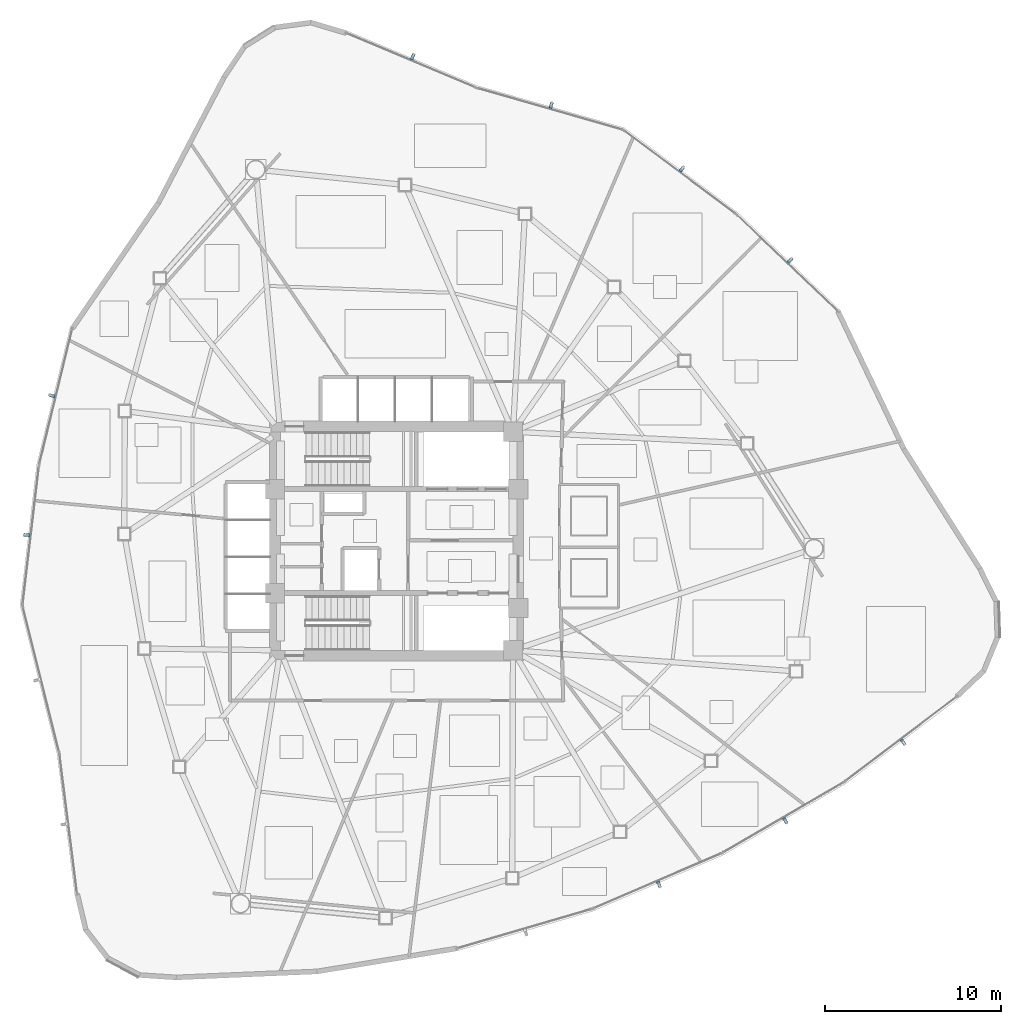
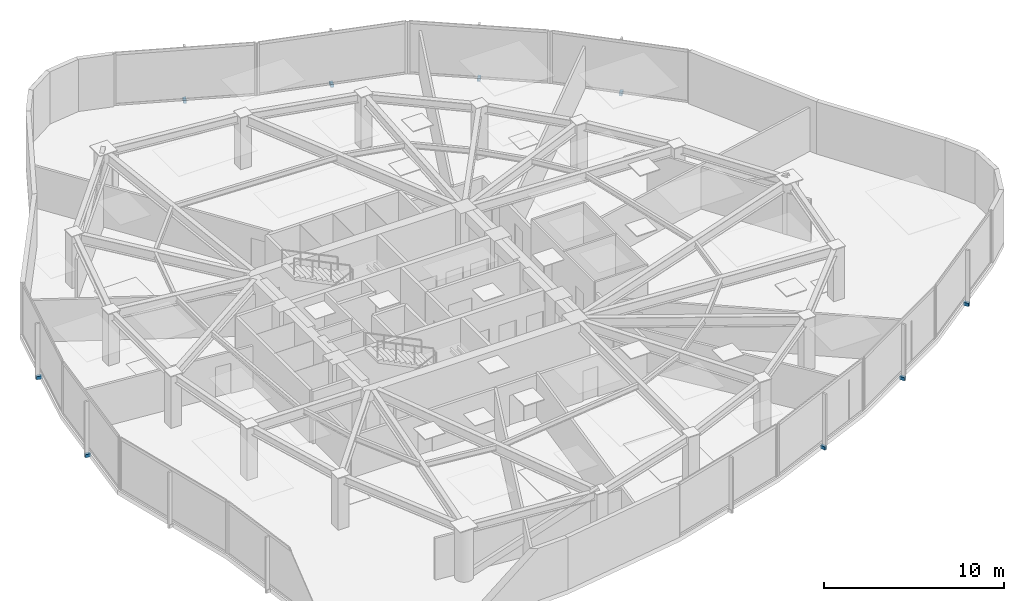
# One storey, part 13 of 17: 9 discrete accessories.
"""IFC4 building model written with IfcOpenShell, lengths in metres."""

from ifc_helpers import new_model, si_unit, direction, frame, origin, origin_2d, place, context, subcontext, project, spatial, rectangle, extrude, source, transform, mapped, material, type_object, type_shapes, element, save


model = new_model("IFC4")

# Units and contexts
model_context = context("Model", 3, precision=1e-05, world=origin(), true_north=direction((0.0, 1.0)))
body_context = subcontext(model_context, "Body", "Model", "MODEL_VIEW")
ifc_project = project(units=[si_unit("LENGTHUNIT", "METRE"), si_unit("AREAUNIT", "SQUARE_METRE"), si_unit("VOLUMEUNIT", "CUBIC_METRE"), si_unit("PLANEANGLEUNIT", "RADIAN"), si_unit("MASSUNIT", "GRAM", prefix="KILO")], contexts=[model_context])

# Site, building, storey
site_placement = place(None, origin())
site = spatial("IfcSite", under=ifc_project, at=site_placement, CompositionType="ELEMENT")
building_placement = place(site_placement, origin())
building = spatial("IfcBuilding", under=site, at=building_placement, Name="Tavelor Broadcast Tower", CompositionType="ELEMENT")
storey_placement = place(building_placement, frame((0.0, 0.0, 115.60009765625)))
storey = spatial("IfcBuildingStorey", under=building, at=storey_placement, Name="L26", CompositionType="ELEMENT", Elevation=115.60009765625)

# Discrete accessories
ifc_material = material(Name="Steel S355", Category="steel")
discrete_accessory_type = type_object("IfcDiscreteAccessoryType", Name="Stainless Baguette Outrigger Support Bracket 260x180", PredefinedType="BRACKET", material=ifc_material)
shared_shape = source(origin(), body_context, "Body", "SweptSolid", [
    extrude(rectangle(XDim=0.179931640625, YDim=0.340087890625, at=origin_2d()), origin(), (0.0, 0.0, 1.0), 0.216064453125),
])
type_shapes(discrete_accessory_type, [shared_shape])
for number, where, z_axis, x_axis, name in (
    (1, (30.445556640625, 53.2470703125, -0.25830078125), (0.0, 0.0, 1.0), (-0.236498997024, -0.971631732915, 0.0), "L26 Baguette Outrigger Bracket 241"),
    (2, (29.023193359375, 45.34130859375, -0.25830078125), (0.0, 0.0, 1.0), (-0.117190744019, -0.993109424745, 0.0), "L26 Baguette Outrigger Bracket 242"),
    (3, (64.881591796875, 25.52099609375, -0.25830078125), (0.0, 0.0, 1.0), (0.918584396813, 0.395224880204, 0.0), "L26 Baguette Outrigger Bracket 246"),
    (4, (72.0546875, 29.13671875, -0.25830078125), (0.0, 0.0, 1.0), (0.864011302865, 0.503472410885, 0.0), "L26 Baguette Outrigger Bracket 247"),
    (5, (78.737548828125, 33.59375, -0.25830078125), (0.0, 0.0, 1.0), (0.796740914397, 0.604321036641, 0.0), "L26 Baguette Outrigger Bracket 248"),
    (6, (72.3193359375, 60.9287109375, -0.25830078125), (0.0, 0.0, 1.0), (-0.723328791975, 0.690503771677, 0.0), "L26 Baguette Outrigger Bracket 249"),
    (7, (66.183837890625, 66.113525390625, -0.25830078125), (0.0, 0.0, 1.0), (-0.801566984871, 0.597904983058, 0.0), "L26 Baguette Outrigger Bracket 250"),
    (8, (58.770751953125, 69.723388671875, -0.25830078125), (0.0, 0.0, 1.0), (-0.961309789091, 0.275469579804, 0.0), "L26 Baguette Outrigger Bracket 251"),
    (9, (50.9091796875, 72.472900390625, -0.25830078125), (0.0, 0.0, 1.0), (-0.92172782697, 0.387837353782, 0.0), "L26 Baguette Outrigger Bracket 252"),
):
    element("IfcDiscreteAccessory", number, at=place(storey_placement, frame(where, z_axis=z_axis, x_axis=x_axis)), inside=storey, type_object=discrete_accessory_type, Name=name, PredefinedType="BRACKET", context=body_context, shape_type="MappedRepresentation", body=[
        mapped(shared_shape, transform((0.0, 0.0, 0.0), scale=1.0)),
    ])

save(model, "model.ifc")
